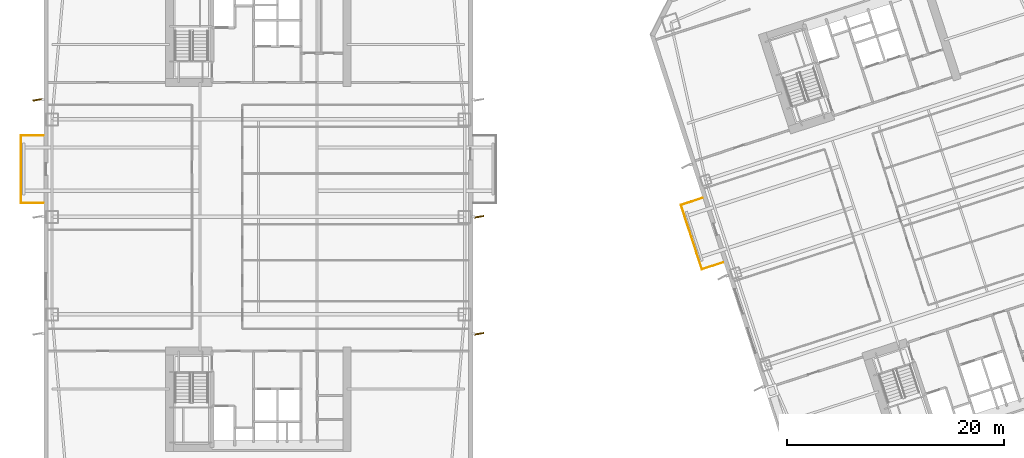
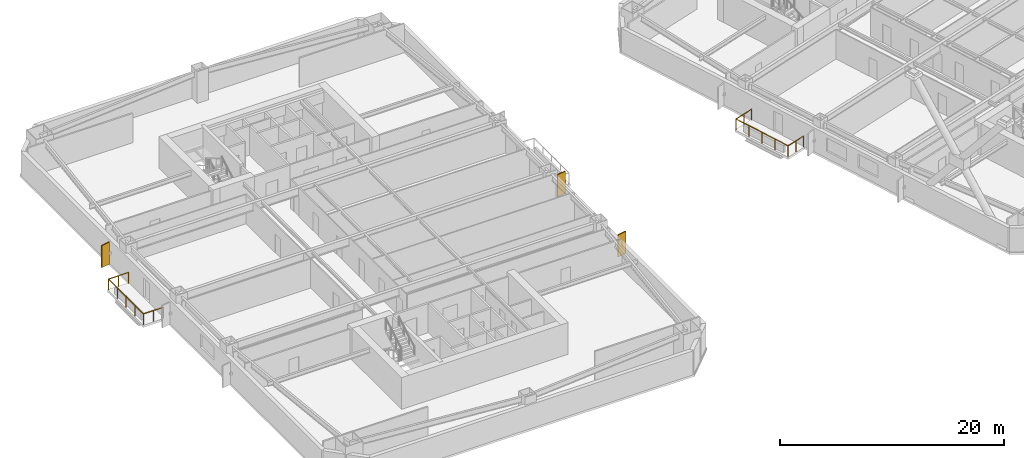
# One storey, part 16 of 19: 3 shading devices, 2 railings.
"""IFC4 building model written with IfcOpenShell, lengths in metres."""

from ifc_helpers import new_model, si_unit, direction, frame, origin, origin_2d, place, context, subcontext, project, spatial, rectangle, circle, extrude, material, layer, layer_set, type_object, element, save


model = new_model("IFC4")

# Units and contexts
model_context = context("Model", 3, precision=1e-05, world=origin(), true_north=direction((0.0, 1.0)))
body_context = subcontext(model_context, "Body", "Model", "MODEL_VIEW")
ifc_project = project(units=[si_unit("LENGTHUNIT", "METRE"), si_unit("AREAUNIT", "SQUARE_METRE"), si_unit("VOLUMEUNIT", "CUBIC_METRE"), si_unit("PLANEANGLEUNIT", "RADIAN"), si_unit("MASSUNIT", "GRAM", prefix="KILO")], contexts=[model_context])

# Site, building, storey
site_placement = place(None, origin())
site = spatial("IfcSite", under=ifc_project, at=site_placement, CompositionType="ELEMENT")
building_placement = place(site_placement, origin())
building = spatial("IfcBuilding", under=site, at=building_placement, Name="Qiaolan Cultural Towers", CompositionType="ELEMENT")
storey_placement = place(building_placement, frame((0.0, 0.0, 78.199951171875)))
storey = spatial("IfcBuildingStorey", under=building, at=storey_placement, Name="L19", CompositionType="ELEMENT", Elevation=78.199951171875)

# Railings
ifc_material_1 = material(Name="Laminated SentryGlas & Stainless Steel S31608 Balustrade", Category="steel")
railing_type = type_object("IfcRailingType", Name="GRD-TERR-1200", PredefinedType="BALUSTRADE", material=ifc_material_1)
railing_1_placement = place(storey_placement, frame((10.14990234375, 35.280029296875, 0.0)))
element("IfcRailing", 1, at=railing_1_placement, inside=storey, type_object=railing_type, Name="L19 T1 Tree Balcony Guardrail W", PredefinedType="BALUSTRADE", context=body_context, shape_type="SweptSolid", body=[
    extrude(circle(Radius=0.02392578125, at=origin_2d()), frame((0.0, 0.0, 1.17578125), z_axis=(-1.0, 0.0, 0.0), x_axis=(0.0, -1.0, 0.0)), (0.0, 0.0, 1.0), 2.06982421875),
    extrude(circle(Radius=0.02392578125, at=origin_2d()), frame((-2.06982421875, 0.0, 1.17578125), z_axis=(0.0, 1.0, 0.0), x_axis=(-1.0, 0.0, 0.0)), (0.0, 0.0, 1.0), 6.239990234375),
    extrude(circle(Radius=0.02392578125, at=origin_2d()), frame((-2.06982421875, 6.239990234375, 1.17578125), z_axis=(1.0, 0.0, 0.0), x_axis=(0.0, 1.0, 0.0)), (0.0, 0.0, 1.0), 2.06982421875),
    extrude(circle(Radius=0.02099609375, at=origin_2d()), origin(), (0.0, 0.0, 1.0), 1.15185546875),
    extrude(circle(Radius=0.02099609375, at=origin_2d()), frame((-1.034912109375, 0.0, 0.0)), (0.0, 0.0, 1.0), 1.15185546875),
    extrude(circle(Radius=0.02099609375, at=origin_2d()), frame((-2.06982421875, 0.0, 0.0)), (0.0, 0.0, 1.0), 1.15185546875),
    extrude(circle(Radius=0.02099609375, at=origin_2d()), frame((-2.06982421875, 1.56005859375, 0.0)), (0.0, 0.0, 1.0), 1.15185546875),
    extrude(circle(Radius=0.02099609375, at=origin_2d()), frame((-2.06982421875, 3.1201171875, 0.0)), (0.0, 0.0, 1.0), 1.15185546875),
    extrude(circle(Radius=0.02099609375, at=origin_2d()), frame((-2.06982421875, 4.679931640625, 0.0)), (0.0, 0.0, 1.0), 1.15185546875),
    extrude(circle(Radius=0.02099609375, at=origin_2d()), frame((-2.06982421875, 6.239990234375, 0.0)), (0.0, 0.0, 1.0), 1.15185546875),
    extrude(circle(Radius=0.02099609375, at=origin_2d()), frame((-1.034912109375, 6.239990234375, 0.0)), (0.0, 0.0, 1.0), 1.15185546875),
    extrude(circle(Radius=0.02099609375, at=origin_2d()), frame((0.0, 6.239990234375, 0.0)), (0.0, 0.0, 1.0), 1.15185546875),
])
railing_2_placement = place(storey_placement, frame((72.913330078125, 29.794189453125, 0.0)))
element("IfcRailing", 2, at=railing_2_placement, inside=storey, type_object=railing_type, Name="L19 T2 Tree Balcony Guardrail W", PredefinedType="BALUSTRADE", context=body_context, shape_type="SweptSolid", body=[
    extrude(circle(Radius=0.02392578125, at=origin_2d()), frame((0.0, 0.0, 1.17578125), z_axis=(-0.951050536716, -0.309035397023, 0.0), x_axis=(0.309035397023, -0.951050536716, 0.0)), (0.0, 0.0, 1.0), 2.06982421875),
    extrude(circle(Radius=0.02392578125, at=origin_2d()), frame((-1.968505859375, -0.6396484375, 1.17578125), z_axis=(-0.309047146287, 0.951046718817, 0.0), x_axis=(-0.951046718817, -0.309047146287, 0.0)), (0.0, 0.0, 1.0), 6.239990234375),
    extrude(circle(Radius=0.02392578125, at=origin_2d()), frame((-3.89697265625, 5.294921875, 1.17578125), z_axis=(0.951061799618, 0.309000733507, 0.0), x_axis=(-0.309000733507, 0.951061799618, 0.0)), (0.0, 0.0, 1.0), 2.070068359375),
    extrude(circle(Radius=0.02099609375, at=origin_2d()), origin(), (0.0, 0.0, 1.0), 1.15185546875),
    extrude(circle(Radius=0.02099609375, at=origin_2d()), frame((-0.984375, -0.31982421875, 0.0)), (0.0, 0.0, 1.0), 1.15185546875),
    extrude(circle(Radius=0.02099609375, at=origin_2d()), frame((-1.968505859375, -0.6396484375, 0.0)), (0.0, 0.0, 1.0), 1.15185546875),
    extrude(circle(Radius=0.02099609375, at=origin_2d()), frame((-2.45068359375, 0.843994140625, 0.0)), (0.0, 0.0, 1.0), 1.15185546875),
    extrude(circle(Radius=0.02099609375, at=origin_2d()), frame((-2.9326171875, 2.32763671875, 0.0)), (0.0, 0.0, 1.0), 1.15185546875),
    extrude(circle(Radius=0.02099609375, at=origin_2d()), frame((-3.414794921875, 3.811279296875, 0.0)), (0.0, 0.0, 1.0), 1.15185546875),
    extrude(circle(Radius=0.02099609375, at=origin_2d()), frame((-3.89697265625, 5.294921875, 0.0)), (0.0, 0.0, 1.0), 1.15185546875),
    extrude(circle(Radius=0.02099609375, at=origin_2d()), frame((-2.91259765625, 5.61474609375, 0.0)), (0.0, 0.0, 1.0), 1.15185546875),
    extrude(circle(Radius=0.02099609375, at=origin_2d()), frame((-1.92822265625, 5.9345703125, 0.0)), (0.0, 0.0, 1.0), 1.15185546875),
])

# Shading devices
ifc_material_2 = material(Name="Dark Basalt Honed Precast Terracotta Fin", Category="masonry")
ifc_layer = layer(ifc_material_2, 0.1201171875)
ifc_layer_set = layer_set([ifc_layer], Name="Dark Basalt Honed Precast Terracotta Fin")
shading_device_type = type_object("IfcShadingDeviceType", Name="SHD-FIN-DARK", PredefinedType="USERDEFINED", material=ifc_layer_set)
for number, where, z_axis, x_axis, name in (
    (3, (9.639892578125, 44.800048828125, 0.10009765625), (0.0, 0.0, 1.0), (0.98587406802, 0.167488274236, 0.0), "L19 T1 Expressive Precast Vertical Fin W3"),
    (4, (50.360107421875, 23.199951171875, 0.10009765625), (0.0, 0.0, 1.0), (0.98587406802, 0.167488274236, 0.0), "L19 T1 Expressive Precast Vertical Fin E1"),
    (5, (50.360107421875, 34.0, 0.10009765625), (0.0, 0.0, 1.0), (0.98587406802, 0.167488274236, 0.0), "L19 T1 Expressive Precast Vertical Fin E2"),
):
    element("IfcShadingDevice", number, at=place(storey_placement, frame(where, z_axis=z_axis, x_axis=x_axis)), inside=storey, type_object=shading_device_type, Name=name, ObjectType="FIN", PredefinedType="USERDEFINED", context=body_context, shape_type="SweptSolid", body=[
        extrude(rectangle(XDim=0.89990234375, YDim=0.1201171875, at=origin_2d()), origin(), (0.0, 0.0, 1.0), 2.409912109375),
    ])

save(model, "model.ifc")
